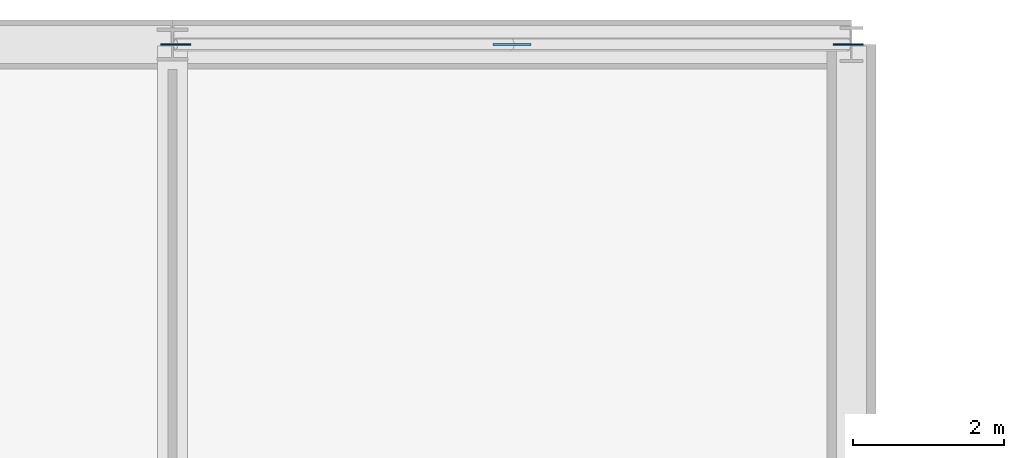
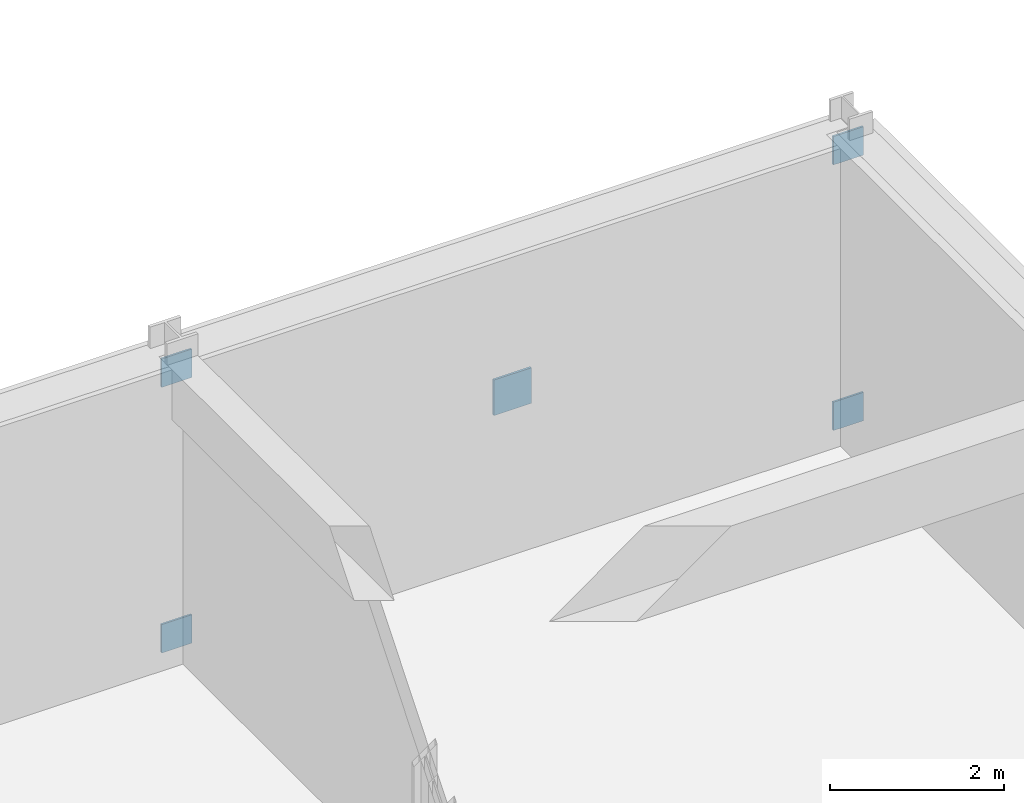
# One storey, part 31 of 35: 5 discrete accessories.
"""IFC4 building model written with IfcOpenShell, lengths in metres."""

from ifc_helpers import new_model, si_unit, direction, frame, origin, origin_2d, place, context, subcontext, project, spatial, rectangle, extrude, material, type_object, element, save


model = new_model("IFC4")

# Units and contexts
model_context = context("Model", 3, precision=1e-05, world=origin(), true_north=direction((0.0, 1.0)))
body_context = subcontext(model_context, "Body", "Model", "MODEL_VIEW")
ifc_project = project(units=[si_unit("LENGTHUNIT", "METRE"), si_unit("AREAUNIT", "SQUARE_METRE"), si_unit("VOLUMEUNIT", "CUBIC_METRE"), si_unit("PLANEANGLEUNIT", "RADIAN"), si_unit("MASSUNIT", "GRAM", prefix="KILO")], contexts=[model_context])

# Site, building, storey
site_placement = place(None, origin())
site = spatial("IfcSite", under=ifc_project, at=site_placement, CompositionType="ELEMENT")
building_placement = place(site_placement, origin())
building = spatial("IfcBuilding", under=site, at=building_placement, Name="Palais des Congres Ocreval", CompositionType="ELEMENT")
storey_placement = place(building_placement, frame((0.0, 0.0, -4.47998046875)))
storey = spatial("IfcBuildingStorey", under=building, at=storey_placement, Name="B1", CompositionType="ELEMENT", Elevation=-4.47998046875)

# Discrete accessories
ifc_material = material(Name="Steel S355", Category="steel")
discrete_accessory_type_1 = type_object("IfcDiscreteAccessoryType", Name="Cast-In Embed Plate PL25 Steel S355", PredefinedType="USERDEFINED", material=ifc_material)
for number, where, z_axis, x_axis, name in (
    (1, (45.0400390625, 114.0, 0.0), (0.0, 0.0, 1.0), (1.0, 0.0, 0.0), "Cast-In Embed Plate EP01"),
    (2, (53.9599609375, 114.0, 3.72998046875), (0.0, 0.0, 1.0), (1.0, 0.0, 0.0), "Cast-In Embed Plate EP01"),
    (3, (45.0400390625, 114.0, 3.72998046875), (0.0, 0.0, 1.0), (1.0, 0.0, 0.0), "Cast-In Embed Plate EP01"),
    (4, (53.9599609375, 114.0, 0.0), (0.0, 0.0, 1.0), (1.0, 0.0, 0.0), "Cast-In Embed Plate EP01"),
):
    element("IfcDiscreteAccessory", number, at=place(storey_placement, frame(where, z_axis=z_axis, x_axis=x_axis)), inside=storey, type_object=discrete_accessory_type_1, Name=name, ObjectType="EMBED PLATE", PredefinedType="USERDEFINED", context=body_context, shape_type="SweptSolid", body=[
        extrude(rectangle(XDim=0.39990234375, YDim=0.02490234375, at=origin_2d()), origin(), (0.0, 0.0, 1.0), 0.39990234375),
    ])
discrete_accessory_type_2 = type_object("IfcDiscreteAccessoryType", Name="X-Brace Node Gusset Plate PL30 Steel S355", PredefinedType="USERDEFINED", material=ifc_material)
discrete_accessory_placement = place(storey_placement, frame((49.5, 114.0, 1.7900390625), z_axis=(0.0, 0.0, 1.0), x_axis=(1.0, 0.0, 0.0)))
element("IfcDiscreteAccessory", 5, at=discrete_accessory_placement, inside=storey, type_object=discrete_accessory_type_2, Name="X-Brace Node Gusset Plate GP01", ObjectType="GUSSET PLATE", PredefinedType="USERDEFINED", context=body_context, shape_type="SweptSolid", body=[
    extrude(rectangle(XDim=0.5, YDim=0.030029296875, at=origin_2d()), origin(), (0.0, 0.0, 1.0), 0.5),
])

save(model, "model.ifc")
